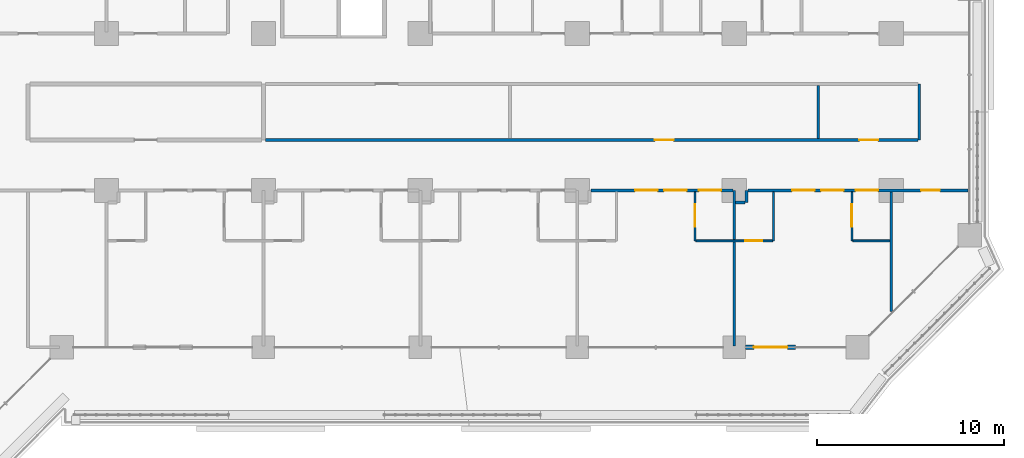
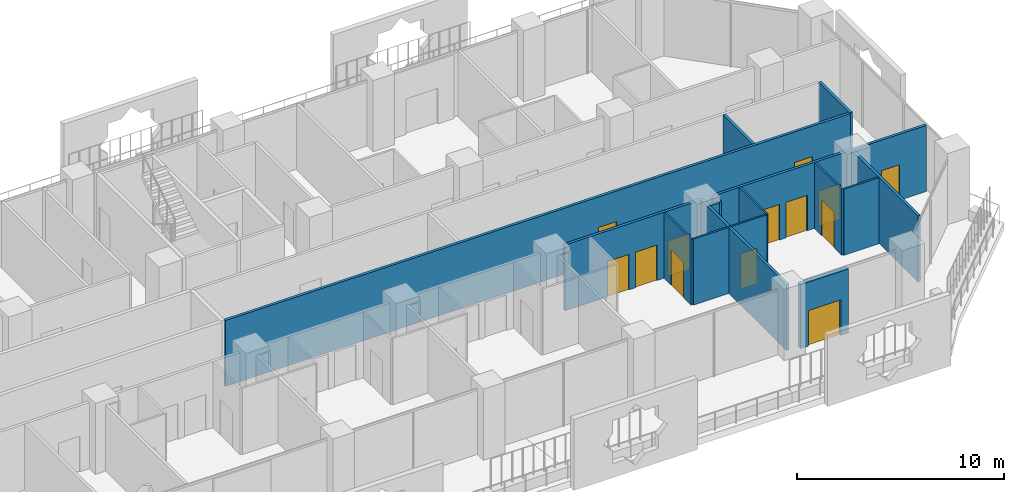
# One storey, part 18 of 29: 15 walls, 13 doors, 13 openings.
"""IFC4 building model written with IfcOpenShell, lengths in metres."""

from ifc_helpers import new_model, si_unit, direction, frame, frame_2d, origin, place, context, subcontext, project, spatial, rectangle, extrude, material, layer, layer_set, type_object, element, fill, save


model = new_model("IFC4")

# Units and contexts
model_context = context("Model", 3, precision=1e-05, world=origin(), true_north=direction((0.0, 1.0)))
body_context = subcontext(model_context, "Body", "Model", "MODEL_VIEW")
ifc_project = project(units=[si_unit("LENGTHUNIT", "METRE"), si_unit("AREAUNIT", "SQUARE_METRE"), si_unit("VOLUMEUNIT", "CUBIC_METRE"), si_unit("PLANEANGLEUNIT", "RADIAN"), si_unit("MASSUNIT", "GRAM", prefix="KILO")], contexts=[model_context])

# Site, building, storey
site_placement = place(None, origin())
site = spatial("IfcSite", under=ifc_project, at=site_placement, CompositionType="ELEMENT")
building_placement = place(site_placement, origin())
building = spatial("IfcBuilding", under=site, at=building_placement, Name="Kawkab Arch Medical Tower", CompositionType="ELEMENT")
storey_placement = place(building_placement, frame((0.0, 0.0, 60.199951171875)))
storey = spatial("IfcBuildingStorey", under=building, at=storey_placement, Name="L13", CompositionType="ELEMENT", Elevation=60.199951171875)

# Wall, opening, door
ifc_material_1 = material(Name="Bronze clad insulated wall panel")
ifc_layer_1 = layer(ifc_material_1, 0.25)
ifc_layer_set_1 = layer_set([ifc_layer_1], Name="Bronze clad insulated wall panel")
wall_type_1 = type_object("IfcWallType", Name="External wall bay 250", PredefinedType="SOLIDWALL", material=ifc_layer_set_1)
wall_1_placement = place(storey_placement, frame((67.800048828125, -25.199951171875, 0.0), z_axis=(0.0, 0.0, 1.0), x_axis=(1.0, 0.0, 0.0)))
wall_1 = element("IfcWall", 1, at=wall_1_placement, inside=storey, type_object=wall_type_1, Name="External wall bay L13.R07.5.1", PredefinedType="SOLIDWALL", context=body_context, shape_type="SweptSolid", body=[
    extrude(rectangle(XDim=2.6875, YDim=0.25, at=frame_2d((1.34375, 0.0))), origin(), (0.0, 0.0, 1.0), 3.780029296875),
])
opening_1_placement = place(wall_1_placement, frame((0.443603515625, 0.0, 0.0)))
opening_1 = element("IfcOpeningElement", 2, at=opening_1_placement, cuts=wall_1, Name="Opening W13A-702", PredefinedType="OPENING", context=body_context, shape_type="SweptSolid", body=[
    extrude(rectangle(XDim=1.800048828125, YDim=2.10009765625, at=frame_2d((0.89990234375, 1.050048828125))), frame((0.0, 0.135009765625, 0.0), z_axis=(0.0, -1.0, 0.0), x_axis=(1.0, 0.0, 0.0)), (0.0, 0.0, 1.0), 0.27001953125),
])
ifc_material_2 = material(Name="Bronze anodised aluminium door with tinted glass", Category="aluminium")
door_type_1 = type_object("IfcDoorType", Name="Double external door 1800 x 2100", OperationType="DOUBLE_DOOR_SINGLE_SWING", PredefinedType="DOOR", material=ifc_material_2)
door_1_placement = place(opening_1_placement, origin())
door_1 = element("IfcDoor", 3, at=door_1_placement, inside=storey, type_object=door_type_1, Name="External door L13.R07.5.1", OperationType="DOUBLE_DOOR_SINGLE_SWING", OverallHeight=2.10009765625, OverallWidth=1.800048828125, PredefinedType="DOOR", context=body_context, shape_type="SweptSolid", body=[
    extrude(rectangle(XDim=1.800048828125, YDim=2.10009765625, at=frame_2d((0.89990234375, 1.050048828125))), frame((0.0, 0.02490234375, 0.0), z_axis=(0.0, -1.0, 0.0), x_axis=(1.0, 0.0, 0.0)), (0.0, 0.0, 1.0), 0.050048828125),
])
fill(opening_1, door_1)

ifc_material_3 = material(Name="Gypsum board partition on steel studs", Category="steel")
ifc_layer_2 = layer(ifc_material_3, 0.10009765625)
ifc_layer_set_2 = layer_set([ifc_layer_2], Name="Gypsum board partition on steel studs")
wall_type_2 = type_object("IfcWallType", Name="Partition 100", PredefinedType="PARTITIONING", material=ifc_layer_set_2)
wall_2_placement = place(storey_placement, frame((65.14990234375, -19.5, 0.0), z_axis=(0.0, 0.0, 1.0), x_axis=(1.0, 0.0, 0.0)))
wall_2 = element("IfcWall", 4, at=wall_2_placement, inside=storey, type_object=wall_type_2, Name="Partition 100 w016", PredefinedType="PARTITIONING", context=body_context, shape_type="SweptSolid", body=[
    extrude(rectangle(XDim=4.10009765625, YDim=0.10009765625, at=frame_2d((2.050048828125, 0.0))), origin(), (0.0, 0.0, 1.0), 3.900146484375),
])
opening_2_placement = place(wall_2_placement, frame((2.64990234375, 0.0, 0.0)))
opening_2 = element("IfcOpeningElement", 5, at=opening_2_placement, cuts=wall_2, Name="Opening W13A-008", PredefinedType="OPENING", context=body_context, shape_type="SweptSolid", body=[
    extrude(rectangle(XDim=0.89990234375, YDim=2.10009765625, at=frame_2d((0.449951171875, 1.050048828125))), frame((0.0, 0.06005859375, 0.0), z_axis=(0.0, -1.0, 0.0), x_axis=(1.0, 0.0, 0.0)), (0.0, 0.0, 1.0), 0.1201171875),
])
ifc_material_4 = material(Name="Timber door leaf", Category="wood")
door_type_2 = type_object("IfcDoorType", Name="Single door 900x2100", OperationType="NOTDEFINED", PredefinedType="DOOR", material=ifc_material_4)
door_2_placement = place(opening_2_placement, origin())
door_2 = element("IfcDoor", 6, at=door_2_placement, inside=storey, type_object=door_type_2, Name="Door W13A-008", OperationType="SINGLE_SWING_LEFT", OverallHeight=2.10009765625, OverallWidth=0.89990234375, PredefinedType="DOOR", context=body_context, shape_type="SweptSolid", body=[
    extrude(rectangle(XDim=0.89990234375, YDim=2.10009765625, at=frame_2d((0.449951171875, 1.050048828125))), frame((0.0, 0.02490234375, 0.0), z_axis=(0.0, -1.0, 0.0), x_axis=(1.0, 0.0, 0.0)), (0.0, 0.0, 1.0), 0.050048828125),
])
fill(opening_2, door_2)

# Wall
wall_3_placement = place(storey_placement, frame((73.550048828125, -19.5, 0.0), z_axis=(0.0, 0.0, 1.0), x_axis=(1.0, 0.0, 0.0)))
element("IfcWall", 7, at=wall_3_placement, inside=storey, type_object=wall_type_2, Name="Partition 100 w017", PredefinedType="PARTITIONING", context=body_context, shape_type="SweptSolid", body=[
    extrude(rectangle(XDim=1.974853515625, YDim=0.10009765625, at=frame_2d((0.9873046875, 0.0))), origin(), (0.0, 0.0, 1.0), 3.900146484375),
])

# Wall, opening, door
wall_4_placement = place(storey_placement, frame((65.10009765625, -19.5, 0.0), z_axis=(0.0, 0.0, 1.0), x_axis=(0.0, 1.0, 0.0)))
wall_4 = element("IfcWall", 8, at=wall_4_placement, inside=storey, type_object=wall_type_2, Name="Partition 100 w038", PredefinedType="PARTITIONING", context=body_context, shape_type="SweptSolid", body=[
    extrude(rectangle(XDim=2.625, YDim=0.10009765625, at=frame_2d((1.3125, 0.0))), origin(), (0.0, 0.0, 1.0), 3.900146484375),
])
opening_3_placement = place(wall_4_placement, frame((0.75, 0.0, 0.0)))
opening_3 = element("IfcOpeningElement", 9, at=opening_3_placement, cuts=wall_4, Name="Opening W13A-063", PredefinedType="OPENING", context=body_context, shape_type="SweptSolid", body=[
    extrude(rectangle(XDim=1.199951171875, YDim=2.10009765625, at=frame_2d((0.60009765625, 1.050048828125))), frame((0.0, 0.06005859375, 0.0), z_axis=(0.0, -1.0, 0.0), x_axis=(1.0, 0.0, 0.0)), (0.0, 0.0, 1.0), 0.1201171875),
])
ifc_material_5 = material(Name="Timber door leaf", Category="wood")
door_type_3 = type_object("IfcDoorType", Name="Single door 1200x2100", OperationType="NOTDEFINED", PredefinedType="DOOR", material=ifc_material_5)
door_3_placement = place(opening_3_placement, origin())
door_3 = element("IfcDoor", 10, at=door_3_placement, inside=storey, type_object=door_type_3, Name="Door W13A-063", OperationType="SINGLE_SWING_LEFT", OverallHeight=2.10009765625, OverallWidth=1.199951171875, PredefinedType="DOOR", context=body_context, shape_type="SweptSolid", body=[
    extrude(rectangle(XDim=1.199951171875, YDim=2.10009765625, at=frame_2d((0.60009765625, 1.050048828125))), frame((0.0, 0.02490234375, 0.0), z_axis=(0.0, -1.0, 0.0), x_axis=(1.0, 0.0, 0.0)), (0.0, 0.0, 1.0), 0.050048828125),
])
fill(opening_3, door_3)

# Wall
wall_5_placement = place(storey_placement, frame((69.300048828125, -19.5, 0.0), z_axis=(0.0, 0.0, 1.0), x_axis=(0.0, 1.0, 0.0)))
element("IfcWall", 11, at=wall_5_placement, inside=storey, type_object=wall_type_2, Name="Partition 100 w041", PredefinedType="PARTITIONING", context=body_context, shape_type="SweptSolid", body=[
    extrude(rectangle(XDim=2.625, YDim=0.10009765625, at=frame_2d((1.3125, 0.0))), origin(), (0.0, 0.0, 1.0), 3.900146484375),
])

# Wall, opening, door
wall_6_placement = place(storey_placement, frame((73.5, -19.5, 0.0), z_axis=(0.0, 0.0, 1.0), x_axis=(0.0, 1.0, 0.0)))
wall_6 = element("IfcWall", 12, at=wall_6_placement, inside=storey, type_object=wall_type_2, Name="Partition 100 w042", PredefinedType="PARTITIONING", context=body_context, shape_type="SweptSolid", body=[
    extrude(rectangle(XDim=2.625, YDim=0.10009765625, at=frame_2d((1.3125, 0.0))), origin(), (0.0, 0.0, 1.0), 3.900146484375),
])
opening_4_placement = place(wall_6_placement, frame((0.75, 0.0, 0.0)))
opening_4 = element("IfcOpeningElement", 13, at=opening_4_placement, cuts=wall_6, Name="Opening W13A-067", PredefinedType="OPENING", context=body_context, shape_type="SweptSolid", body=[
    extrude(rectangle(XDim=1.199951171875, YDim=2.10009765625, at=frame_2d((0.60009765625, 1.050048828125))), frame((0.0, 0.06005859375, 0.0), z_axis=(0.0, -1.0, 0.0), x_axis=(1.0, 0.0, 0.0)), (0.0, 0.0, 1.0), 0.1201171875),
])
door_4_placement = place(opening_4_placement, origin())
door_4 = element("IfcDoor", 14, at=door_4_placement, inside=storey, type_object=door_type_3, Name="Door W13A-067", OperationType="SINGLE_SWING_RIGHT", OverallHeight=2.10009765625, OverallWidth=1.199951171875, PredefinedType="DOOR", context=body_context, shape_type="SweptSolid", body=[
    extrude(rectangle(XDim=1.199951171875, YDim=2.10009765625, at=frame_2d((0.60009765625, 1.050048828125))), frame((0.0, 0.02490234375, 0.0), z_axis=(0.0, -1.0, 0.0), x_axis=(1.0, 0.0, 0.0)), (0.0, 0.0, 1.0), 0.050048828125),
])
fill(opening_4, door_4)

# Wall
ifc_material_6 = material(Name="Gypsum board partition on steel studs, mineral wool", Category="steel")
ifc_layer_3 = layer(ifc_material_6, 0.14990234375)
ifc_layer_set_3 = layer_set([ifc_layer_3], Name="Gypsum board partition on steel studs, mineral wool")
wall_type_3 = type_object("IfcWallType", Name="Partition 150", PredefinedType="PARTITIONING", material=ifc_layer_set_3)
wall_7_placement = place(storey_placement, frame((67.27490234375, -17.449951171875, 0.0), z_axis=(0.0, 0.0, 1.0), x_axis=(1.0, 0.0, 0.0)))
element("IfcWall", 15, at=wall_7_placement, inside=storey, type_object=wall_type_3, Name="Partition 150 w071", PredefinedType="PARTITIONING", context=body_context, shape_type="SweptSolid", body=[
    extrude(rectangle(XDim=0.5, YDim=0.14990234375, at=frame_2d((0.25, 0.0))), origin(), (0.0, 0.0, 1.0), 3.900146484375),
])

# Wall, openings, doors
wall_8_placement = place(storey_placement, frame((59.528076171875, -16.800048828125, 0.0), z_axis=(0.0, 0.0, 1.0), x_axis=(1.0, 0.0, 0.0)))
wall_8 = element("IfcWall", 16, at=wall_8_placement, inside=storey, type_object=wall_type_3, Name="Partition 150 w075", PredefinedType="PARTITIONING", context=body_context, shape_type="SweptSolid", body=[
    extrude(rectangle(XDim=7.593994140625, YDim=0.14990234375, at=frame_2d((3.796875, 0.0))), origin(), (0.0, 0.0, 1.0), 3.900146484375),
])
opening_5_placement = place(wall_8_placement, frame((3.922119140625, 0.0, 0.0)))
opening_5 = element("IfcOpeningElement", 17, at=opening_5_placement, cuts=wall_8, Name="Opening W13A-060", PredefinedType="OPENING", context=body_context, shape_type="SweptSolid", body=[
    extrude(rectangle(XDim=1.199951171875, YDim=2.10009765625, at=frame_2d((0.60009765625, 1.050048828125))), frame((0.0, 0.0849609375, 0.0), z_axis=(0.0, -1.0, 0.0), x_axis=(1.0, 0.0, 0.0)), (0.0, 0.0, 1.0), 0.169921875),
])
opening_6_placement = place(wall_8_placement, frame((2.3720703125, 0.0, 0.0)))
opening_6 = element("IfcOpeningElement", 18, at=opening_6_placement, cuts=wall_8, Name="Opening W13A-061", PredefinedType="OPENING", context=body_context, shape_type="SweptSolid", body=[
    extrude(rectangle(XDim=1.199951171875, YDim=2.10009765625, at=frame_2d((0.60009765625, 1.050048828125))), frame((0.0, 0.0849609375, 0.0), z_axis=(0.0, -1.0, 0.0), x_axis=(1.0, 0.0, 0.0)), (0.0, 0.0, 1.0), 0.169921875),
])
opening_7_placement = place(wall_8_placement, frame((5.77197265625, 0.0, 0.0)))
opening_7 = element("IfcOpeningElement", 19, at=opening_7_placement, cuts=wall_8, Name="Opening W13A-062", PredefinedType="OPENING", context=body_context, shape_type="SweptSolid", body=[
    extrude(rectangle(XDim=1.199951171875, YDim=2.10009765625, at=frame_2d((0.60009765625, 1.050048828125))), frame((0.0, 0.0849609375, 0.0), z_axis=(0.0, -1.0, 0.0), x_axis=(1.0, 0.0, 0.0)), (0.0, 0.0, 1.0), 0.169921875),
])
ifc_material_7 = material(Name="Hollow metal door leaf")
door_type_4 = type_object("IfcDoorType", Name="Single door 1200x2100 FD30S", OperationType="NOTDEFINED", PredefinedType="DOOR", material=ifc_material_7)
door_5_placement = place(opening_5_placement, origin())
door_5 = element("IfcDoor", 20, at=door_5_placement, inside=storey, type_object=door_type_4, Name="Door W13A-060", OperationType="SINGLE_SWING_LEFT", OverallHeight=2.10009765625, OverallWidth=1.199951171875, PredefinedType="DOOR", context=body_context, shape_type="SweptSolid", body=[
    extrude(rectangle(XDim=1.199951171875, YDim=2.10009765625, at=frame_2d((0.60009765625, 1.050048828125))), frame((0.0, 0.02490234375, 0.0), z_axis=(0.0, -1.0, 0.0), x_axis=(1.0, 0.0, 0.0)), (0.0, 0.0, 1.0), 0.050048828125),
])
fill(opening_5, door_5)
door_6_placement = place(opening_6_placement, origin())
door_6 = element("IfcDoor", 21, at=door_6_placement, inside=storey, type_object=door_type_4, Name="Door W13A-061", OperationType="SINGLE_SWING_RIGHT", OverallHeight=2.10009765625, OverallWidth=1.199951171875, PredefinedType="DOOR", context=body_context, shape_type="SweptSolid", body=[
    extrude(rectangle(XDim=1.199951171875, YDim=2.10009765625, at=frame_2d((0.60009765625, 1.050048828125))), frame((0.0, 0.02490234375, 0.0), z_axis=(0.0, -1.0, 0.0), x_axis=(1.0, 0.0, 0.0)), (0.0, 0.0, 1.0), 0.050048828125),
])
fill(opening_6, door_6)
door_7_placement = place(opening_7_placement, origin())
door_7 = element("IfcDoor", 22, at=door_7_placement, inside=storey, type_object=door_type_4, Name="Door W13A-062", OperationType="SINGLE_SWING_LEFT", OverallHeight=2.10009765625, OverallWidth=1.199951171875, PredefinedType="DOOR", context=body_context, shape_type="SweptSolid", body=[
    extrude(rectangle(XDim=1.199951171875, YDim=2.10009765625, at=frame_2d((0.60009765625, 1.050048828125))), frame((0.0, 0.02490234375, 0.0), z_axis=(0.0, -1.0, 0.0), x_axis=(1.0, 0.0, 0.0)), (0.0, 0.0, 1.0), 0.050048828125),
])
fill(opening_7, door_7)

wall_9_placement = place(storey_placement, frame((67.927978515625, -16.800048828125, 0.0), z_axis=(0.0, 0.0, 1.0), x_axis=(1.0, 0.0, 0.0)))
wall_9 = element("IfcWall", 23, at=wall_9_placement, inside=storey, type_object=wall_type_3, Name="Partition 150 w076", PredefinedType="PARTITIONING", context=body_context, shape_type="SweptSolid", body=[
    extrude(rectangle(XDim=11.7919921875, YDim=0.14990234375, at=frame_2d((5.89599609375, 0.0))), origin(), (0.0, 0.0, 1.0), 3.900146484375),
])
opening_8_placement = place(wall_9_placement, frame((3.922119140625, 0.0, 0.0)))
opening_8 = element("IfcOpeningElement", 24, at=opening_8_placement, cuts=wall_9, Name="Opening W13A-064", PredefinedType="OPENING", context=body_context, shape_type="SweptSolid", body=[
    extrude(rectangle(XDim=1.199951171875, YDim=2.10009765625, at=frame_2d((0.60009765625, 1.050048828125))), frame((0.0, 0.0849609375, 0.0), z_axis=(0.0, -1.0, 0.0), x_axis=(1.0, 0.0, 0.0)), (0.0, 0.0, 1.0), 0.169921875),
])
opening_9_placement = place(wall_9_placement, frame((2.3720703125, 0.0, 0.0)))
opening_9 = element("IfcOpeningElement", 25, at=opening_9_placement, cuts=wall_9, Name="Opening W13A-065", PredefinedType="OPENING", context=body_context, shape_type="SweptSolid", body=[
    extrude(rectangle(XDim=1.199951171875, YDim=2.10009765625, at=frame_2d((0.60009765625, 1.050048828125))), frame((0.0, 0.0849609375, 0.0), z_axis=(0.0, -1.0, 0.0), x_axis=(1.0, 0.0, 0.0)), (0.0, 0.0, 1.0), 0.169921875),
])
opening_10_placement = place(wall_9_placement, frame((5.77197265625, 0.0, 0.0)))
opening_10 = element("IfcOpeningElement", 26, at=opening_10_placement, cuts=wall_9, Name="Opening W13A-066", PredefinedType="OPENING", context=body_context, shape_type="SweptSolid", body=[
    extrude(rectangle(XDim=1.199951171875, YDim=2.10009765625, at=frame_2d((0.60009765625, 1.050048828125))), frame((0.0, 0.0849609375, 0.0), z_axis=(0.0, -1.0, 0.0), x_axis=(1.0, 0.0, 0.0)), (0.0, 0.0, 1.0), 0.169921875),
])
opening_11_placement = place(wall_9_placement, frame((9.27197265625, 0.0, 0.0)))
opening_11 = element("IfcOpeningElement", 27, at=opening_11_placement, cuts=wall_9, Name="Opening W13A-029", PredefinedType="OPENING", context=body_context, shape_type="SweptSolid", body=[
    extrude(rectangle(XDim=1.0, YDim=2.10009765625, at=frame_2d((0.5, 1.050048828125))), frame((0.0, 0.0849609375, 0.0), z_axis=(0.0, -1.0, 0.0), x_axis=(1.0, 0.0, 0.0)), (0.0, 0.0, 1.0), 0.169921875),
])
ifc_material_8 = material(Name="Hollow metal door leaf")
door_type_5 = type_object("IfcDoorType", Name="Single door 1000x2100 FD30S", OperationType="NOTDEFINED", PredefinedType="DOOR", material=ifc_material_8)
door_8_placement = place(opening_11_placement, origin())
door_8 = element("IfcDoor", 28, at=door_8_placement, inside=storey, type_object=door_type_5, Name="Door W13A-029", OperationType="SINGLE_SWING_LEFT", OverallHeight=2.10009765625, OverallWidth=1.0, PredefinedType="DOOR", context=body_context, shape_type="SweptSolid", body=[
    extrude(rectangle(XDim=1.0, YDim=2.10009765625, at=frame_2d((0.5, 1.050048828125))), frame((0.0, 0.02490234375, 0.0), z_axis=(0.0, -1.0, 0.0), x_axis=(1.0, 0.0, 0.0)), (0.0, 0.0, 1.0), 0.050048828125),
])
fill(opening_11, door_8)
door_9_placement = place(opening_8_placement, origin())
door_9 = element("IfcDoor", 29, at=door_9_placement, inside=storey, type_object=door_type_4, Name="Door W13A-064", OperationType="SINGLE_SWING_RIGHT", OverallHeight=2.10009765625, OverallWidth=1.199951171875, PredefinedType="DOOR", context=body_context, shape_type="SweptSolid", body=[
    extrude(rectangle(XDim=1.199951171875, YDim=2.10009765625, at=frame_2d((0.60009765625, 1.050048828125))), frame((0.0, 0.02490234375, 0.0), z_axis=(0.0, -1.0, 0.0), x_axis=(1.0, 0.0, 0.0)), (0.0, 0.0, 1.0), 0.050048828125),
])
fill(opening_8, door_9)
door_10_placement = place(opening_9_placement, origin())
door_10 = element("IfcDoor", 30, at=door_10_placement, inside=storey, type_object=door_type_4, Name="Door W13A-065", OperationType="SINGLE_SWING_RIGHT", OverallHeight=2.10009765625, OverallWidth=1.199951171875, PredefinedType="DOOR", context=body_context, shape_type="SweptSolid", body=[
    extrude(rectangle(XDim=1.199951171875, YDim=2.10009765625, at=frame_2d((0.60009765625, 1.050048828125))), frame((0.0, 0.02490234375, 0.0), z_axis=(0.0, -1.0, 0.0), x_axis=(1.0, 0.0, 0.0)), (0.0, 0.0, 1.0), 0.050048828125),
])
fill(opening_9, door_10)
door_11_placement = place(opening_10_placement, origin())
door_11 = element("IfcDoor", 31, at=door_11_placement, inside=storey, type_object=door_type_4, Name="Door W13A-066", OperationType="SINGLE_SWING_LEFT", OverallHeight=2.10009765625, OverallWidth=1.199951171875, PredefinedType="DOOR", context=body_context, shape_type="SweptSolid", body=[
    extrude(rectangle(XDim=1.199951171875, YDim=2.10009765625, at=frame_2d((0.60009765625, 1.050048828125))), frame((0.0, 0.02490234375, 0.0), z_axis=(0.0, -1.0, 0.0), x_axis=(1.0, 0.0, 0.0)), (0.0, 0.0, 1.0), 0.050048828125),
])
fill(opening_10, door_11)

wall_10_placement = place(storey_placement, frame((42.10009765625, -14.10009765625, 0.0), z_axis=(0.0, 0.0, 1.0), x_axis=(1.0, 0.0, 0.0)))
wall_10 = element("IfcWall", 32, at=wall_10_placement, inside=storey, type_object=wall_type_3, Name="Partition 150 w077", PredefinedType="PARTITIONING", context=body_context, shape_type="SweptSolid", body=[
    extrude(rectangle(XDim=34.9248046875, YDim=0.14990234375, at=frame_2d((17.46240234375, 0.0))), origin(), (0.0, 0.0, 1.0), 3.900146484375),
])
opening_12_placement = place(wall_10_placement, frame((20.85009765625, 0.0, 0.0)))
opening_12 = element("IfcOpeningElement", 33, at=opening_12_placement, cuts=wall_10, Name="Opening W13A-027", PredefinedType="OPENING", context=body_context, shape_type="SweptSolid", body=[
    extrude(rectangle(XDim=1.0, YDim=2.10009765625, at=frame_2d((0.5, 1.050048828125))), frame((0.0, 0.0849609375, 0.0), z_axis=(0.0, -1.0, 0.0), x_axis=(1.0, 0.0, 0.0)), (0.0, 0.0, 1.0), 0.169921875),
])
opening_13_placement = place(wall_10_placement, frame((31.800048828125, 0.0, 0.0)))
opening_13 = element("IfcOpeningElement", 34, at=opening_13_placement, cuts=wall_10, Name="Opening W13A-028", PredefinedType="OPENING", context=body_context, shape_type="SweptSolid", body=[
    extrude(rectangle(XDim=1.0, YDim=2.10009765625, at=frame_2d((0.5, 1.050048828125))), frame((0.0, 0.0849609375, 0.0), z_axis=(0.0, -1.0, 0.0), x_axis=(1.0, 0.0, 0.0)), (0.0, 0.0, 1.0), 0.169921875),
])
door_12_placement = place(opening_12_placement, origin())
door_12 = element("IfcDoor", 35, at=door_12_placement, inside=storey, type_object=door_type_5, Name="Door W13A-027", OperationType="SINGLE_SWING_RIGHT", OverallHeight=2.10009765625, OverallWidth=1.0, PredefinedType="DOOR", context=body_context, shape_type="SweptSolid", body=[
    extrude(rectangle(XDim=1.0, YDim=2.10009765625, at=frame_2d((0.5, 1.050048828125))), frame((0.0, 0.02490234375, 0.0), z_axis=(0.0, -1.0, 0.0), x_axis=(1.0, 0.0, 0.0)), (0.0, 0.0, 1.0), 0.050048828125),
])
fill(opening_12, door_12)
door_13_placement = place(opening_13_placement, origin())
door_13 = element("IfcDoor", 36, at=door_13_placement, inside=storey, type_object=door_type_5, Name="Door W13A-028", OperationType="SINGLE_SWING_RIGHT", OverallHeight=2.10009765625, OverallWidth=1.0, PredefinedType="DOOR", context=body_context, shape_type="SweptSolid", body=[
    extrude(rectangle(XDim=1.0, YDim=2.10009765625, at=frame_2d((0.5, 1.050048828125))), frame((0.0, 0.02490234375, 0.0), z_axis=(0.0, -1.0, 0.0), x_axis=(1.0, 0.0, 0.0)), (0.0, 0.0, 1.0), 0.050048828125),
])
fill(opening_13, door_13)

# Walls
wall_11_placement = place(storey_placement, frame((67.199951171875, -25.1201171875, 0.0), z_axis=(0.0, 0.0, 1.0), x_axis=(0.0, 1.0, 0.0)))
element("IfcWall", 37, at=wall_11_placement, inside=storey, type_object=wall_type_3, Name="Partition 150 w114", PredefinedType="PARTITIONING", context=body_context, shape_type="SweptSolid", body=[
    extrude(rectangle(XDim=8.317138671875, YDim=0.14990234375, at=frame_2d((4.15869140625, 0.0))), origin(), (0.0, 0.0, 1.0), 3.900146484375),
])
wall_12_placement = place(storey_placement, frame((67.85009765625, -17.449951171875, 0.0), z_axis=(0.0, 0.0, 1.0), x_axis=(0.0, 1.0, 0.0)))
element("IfcWall", 38, at=wall_12_placement, inside=storey, type_object=wall_type_3, Name="Partition 150 w115", PredefinedType="PARTITIONING", context=body_context, shape_type="SweptSolid", body=[
    extrude(rectangle(XDim=0.64697265625, YDim=0.14990234375, at=frame_2d((0.323486328125, 0.0))), origin(), (0.0, 0.0, 1.0), 3.900146484375),
])
wall_13_placement = place(storey_placement, frame((71.699951171875, -14.02490234375, 0.0), z_axis=(0.0, 0.0, 1.0), x_axis=(0.0, 1.0, 0.0)))
element("IfcWall", 39, at=wall_13_placement, inside=storey, type_object=wall_type_3, Name="Partition 150 w117", PredefinedType="PARTITIONING", context=body_context, shape_type="SweptSolid", body=[
    extrude(rectangle(XDim=2.849853515625, YDim=0.14990234375, at=frame_2d((1.4248046875, 0.0))), origin(), (0.0, 0.0, 1.0), 3.900146484375),
])
wall_14_placement = place(storey_placement, frame((75.60009765625, -23.287109375, 0.0), z_axis=(0.0, 0.0, 1.0), x_axis=(0.0, 1.0, 0.0)))
element("IfcWall", 40, at=wall_14_placement, inside=storey, type_object=wall_type_3, Name="Partition 150 w118", PredefinedType="PARTITIONING", context=body_context, shape_type="SweptSolid", body=[
    extrude(rectangle(XDim=6.412109375, YDim=0.14990234375, at=frame_2d((3.2060546875, 0.0))), origin(), (0.0, 0.0, 1.0), 3.900146484375),
])
wall_15_placement = place(storey_placement, frame((77.10009765625, -14.10009765625, 0.0), z_axis=(0.0, 0.0, 1.0), x_axis=(0.0, 1.0, 0.0)))
element("IfcWall", 41, at=wall_15_placement, inside=storey, type_object=wall_type_3, Name="Partition 150 w119", PredefinedType="PARTITIONING", context=body_context, shape_type="SweptSolid", body=[
    extrude(rectangle(XDim=3.0, YDim=0.14990234375, at=frame_2d((1.5, 0.0))), origin(), (0.0, 0.0, 1.0), 3.900146484375),
])

save(model, "model.ifc")
